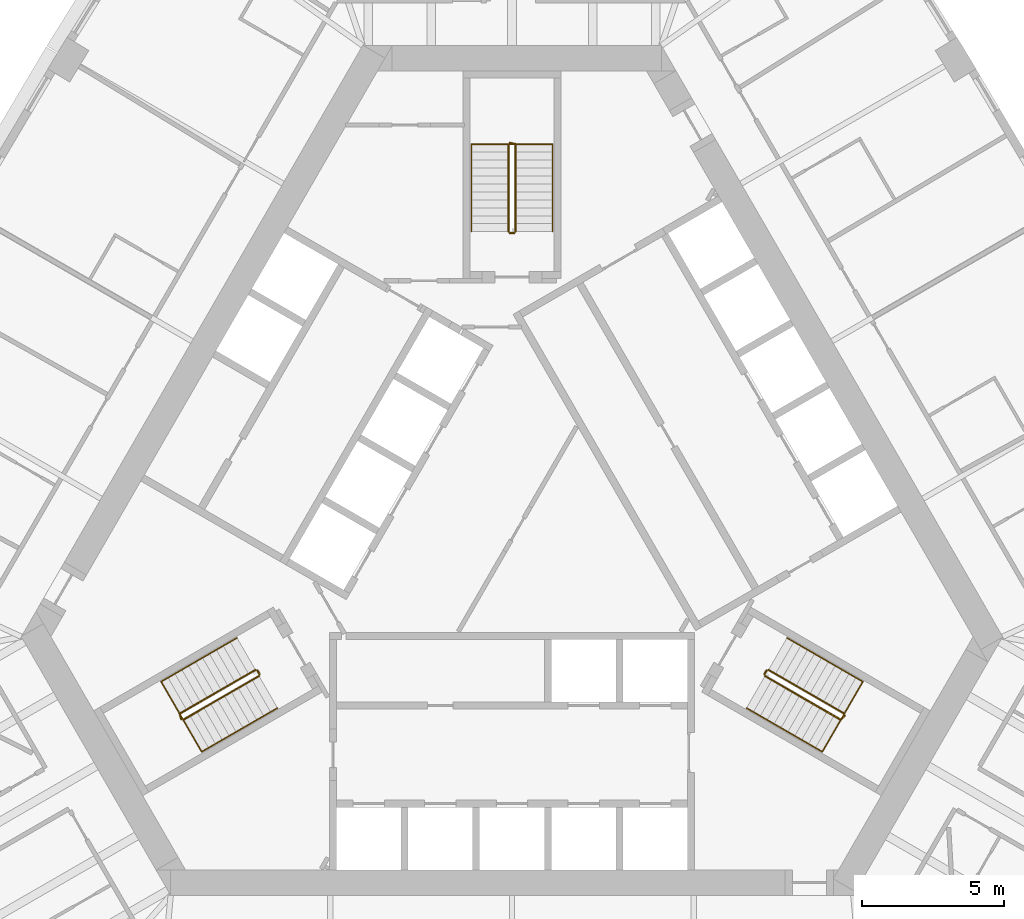
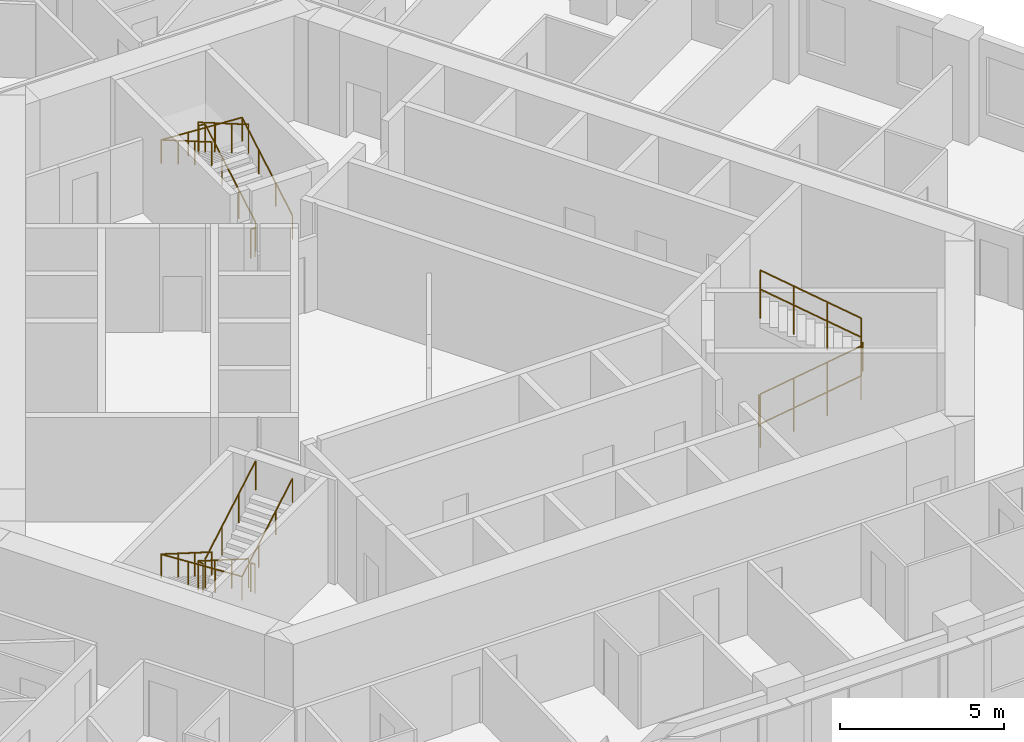
# One storey, part 13 of 13: 12 railings.
"""IFC4 building model written with IfcOpenShell, lengths in metres."""

from ifc_helpers import new_model, si_unit, direction, frame, origin, origin_2d, place, context, subcontext, project, spatial, circle, extrude, material, type_object, element, save


model = new_model("IFC4")

# Units and contexts
model_context = context("Model", 3, precision=1e-05, world=origin(), true_north=direction((0.0, 1.0)))
body_context = subcontext(model_context, "Body", "Model", "MODEL_VIEW")
ifc_project = project(units=[si_unit("LENGTHUNIT", "METRE"), si_unit("AREAUNIT", "SQUARE_METRE"), si_unit("VOLUMEUNIT", "CUBIC_METRE"), si_unit("PLANEANGLEUNIT", "RADIAN"), si_unit("MASSUNIT", "GRAM", prefix="KILO")], contexts=[model_context])

# Site, building, storey
site_placement = place(None, origin())
site = spatial("IfcSite", under=ifc_project, at=site_placement, CompositionType="ELEMENT")
building_placement = place(site_placement, origin())
building = spatial("IfcBuilding", under=site, at=building_placement, Name="Mestral Congress Tower", CompositionType="ELEMENT")
storey_placement = place(building_placement, frame((0.0, 0.0, 83.699951171875)))
storey = spatial("IfcBuildingStorey", under=building, at=storey_placement, Name="L19", CompositionType="ELEMENT", Elevation=83.699951171875)

# Railings
ifc_material_1 = material(Name="Steel balustrade", Category="steel")
railing_type_1 = type_object("IfcRailingType", Name="Stair guard 1100", PredefinedType="GUARDRAIL", material=ifc_material_1)
railing_1_placement = place(storey_placement, frame((8.90087890625, -5.283203125, 0.16259765625)))
element("IfcRailing", 1, at=railing_1_placement, inside=storey, type_object=railing_type_1, Name="L19 ST1 stair guard 1", PredefinedType="GUARDRAIL", context=body_context, shape_type="SweptSolid", body=[
    extrude(circle(Radius=0.02392578125, at=origin_2d()), frame((0.0, 0.0, 1.076171875), z_axis=(0.749019742845, -0.432477486304, 0.501928927906), x_axis=(0.500026652407, 0.866010015463, 0.0)), (0.0, 0.0, 1.0), 3.56103515625),
    extrude(circle(Radius=0.02392578125, at=origin_2d()), frame((2.667236328125, -1.5400390625, 2.86328125), z_axis=(0.695164929852, 0.718850276695, 0.0), x_axis=(-0.718850276695, 0.695164929852, 0.0)), (0.0, 0.0, 1.0), 0.2060546875),
    extrude(circle(Radius=0.02099609375, at=origin_2d()), origin(), (0.0, 0.0, 1.0), 1.052001953125),
    extrude(circle(Radius=0.02099609375, at=origin_2d()), frame((0.88916015625, -0.513427734375, 0.595703125)), (0.0, 0.0, 1.0), 1.052001953125),
    extrude(circle(Radius=0.02099609375, at=origin_2d()), frame((1.778076171875, -1.026611328125, 1.191650390625)), (0.0, 0.0, 1.0), 1.052001953125),
    extrude(circle(Radius=0.02099609375, at=origin_2d()), frame((2.667236328125, -1.5400390625, 1.787353515625)), (0.0, 0.0, 1.0), 1.052001953125),
    extrude(circle(Radius=0.02099609375, at=origin_2d()), frame((2.810546875, -1.391845703125, 1.787353515625)), (0.0, 0.0, 1.0), 1.052001953125),
])
railing_2_placement = place(storey_placement, frame((11.693115234375, -6.606689453125, 2.112548828125)))
element("IfcRailing", 2, at=railing_2_placement, inside=storey, type_object=railing_type_1, Name="L19 ST1 stair guard 2", PredefinedType="GUARDRAIL", context=body_context, shape_type="SweptSolid", body=[
    extrude(circle(Radius=0.02392578125, at=origin_2d()), frame((0.0, 0.0, 1.076171875), z_axis=(-0.748993966903, 0.432462603499, 0.501980212875), x_axis=(-0.500026652407, -0.866010015463, 0.0)), (0.0, 0.0, 1.0), 3.56103515625),
    extrude(circle(Radius=0.02099609375, at=origin_2d()), origin(), (0.0, 0.0, 1.0), 1.052001953125),
    extrude(circle(Radius=0.02099609375, at=origin_2d()), frame((-0.88916015625, 0.513427734375, 0.595947265625)), (0.0, 0.0, 1.0), 1.052001953125),
    extrude(circle(Radius=0.02099609375, at=origin_2d()), frame((-1.778076171875, 1.026611328125, 1.191650390625)), (0.0, 0.0, 1.0), 1.052001953125),
    extrude(circle(Radius=0.02099609375, at=origin_2d()), frame((-2.667236328125, 1.5400390625, 1.78759765625)), (0.0, 0.0, 1.0), 1.052001953125),
])
railing_3_placement = place(storey_placement, frame((8.882568359375, -5.21484375, 0.0)))
element("IfcRailing", 3, at=railing_3_placement, inside=storey, type_object=railing_type_1, Name="L19 ST1 stair guard 3", PredefinedType="GUARDRAIL", context=body_context, shape_type="SweptSolid", body=[
    extrude(circle(Radius=0.02392578125, at=origin_2d()), frame((0.0, 0.0, 1.076171875), z_axis=(0.499816412211, 0.866131372301, 0.0), x_axis=(-0.866131372301, 0.499816412211, 0.0)), (0.0, 0.0, 1.0), 0.14990234375),
    extrude(circle(Radius=0.02099609375, at=origin_2d()), origin(), (0.0, 0.0, 1.0), 1.052001953125),
    extrude(circle(Radius=0.02099609375, at=origin_2d()), frame((0.074951171875, 0.1298828125, 0.0)), (0.0, 0.0, 1.0), 1.052001953125),
])
railing_4_placement = place(storey_placement, frame((0.125, 10.35009765625, 0.16259765625)))
element("IfcRailing", 4, at=railing_4_placement, inside=storey, type_object=railing_type_1, Name="L19 ST2 stair guard 1", PredefinedType="GUARDRAIL", context=body_context, shape_type="SweptSolid", body=[
    extrude(circle(Radius=0.02392578125, at=origin_2d()), frame((0.0, 0.0, 1.076171875), z_axis=(0.0, 0.864903211148, 0.501938676878), x_axis=(-1.0, 0.0, 0.0)), (0.0, 0.0, 1.0), 3.560791015625),
    extrude(circle(Radius=0.02392578125, at=origin_2d()), frame((0.0, 3.079833984375, 2.86328125), z_axis=(-0.970072785993, 0.242814311512, 0.0), x_axis=(-0.242814311512, -0.970072785993, 0.0)), (0.0, 0.0, 1.0), 0.2060546875),
    extrude(circle(Radius=0.02099609375, at=origin_2d()), origin(), (0.0, 0.0, 1.0), 1.052001953125),
    extrude(circle(Radius=0.02099609375, at=origin_2d()), frame((0.0, 1.026611328125, 0.595703125)), (0.0, 0.0, 1.0), 1.052001953125),
    extrude(circle(Radius=0.02099609375, at=origin_2d()), frame((0.0, 2.05322265625, 1.191650390625)), (0.0, 0.0, 1.0), 1.052001953125),
    extrude(circle(Radius=0.02099609375, at=origin_2d()), frame((0.0, 3.079833984375, 1.787353515625)), (0.0, 0.0, 1.0), 1.052001953125),
    extrude(circle(Radius=0.02099609375, at=origin_2d()), frame((-0.199951171875, 3.1298828125, 1.787353515625)), (0.0, 0.0, 1.0), 1.052001953125),
])
railing_5_placement = place(storey_placement, frame((-0.125, 13.429931640625, 2.112548828125)))
element("IfcRailing", 5, at=railing_5_placement, inside=storey, type_object=railing_type_1, Name="L19 ST2 stair guard 2", PredefinedType="GUARDRAIL", context=body_context, shape_type="SweptSolid", body=[
    extrude(circle(Radius=0.02392578125, at=origin_2d()), frame((0.0, 0.0, 1.076171875), z_axis=(0.0, -0.864873446163, 0.501989962173), x_axis=(1.0, 0.0, 0.0)), (0.0, 0.0, 1.0), 3.56103515625),
    extrude(circle(Radius=0.02099609375, at=origin_2d()), origin(), (0.0, 0.0, 1.0), 1.052001953125),
    extrude(circle(Radius=0.02099609375, at=origin_2d()), frame((0.0, -1.026611328125, 0.595947265625)), (0.0, 0.0, 1.0), 1.052001953125),
    extrude(circle(Radius=0.02099609375, at=origin_2d()), frame((0.0, -2.05322265625, 1.191650390625)), (0.0, 0.0, 1.0), 1.052001953125),
    extrude(circle(Radius=0.02099609375, at=origin_2d()), frame((0.0, -3.079833984375, 1.78759765625)), (0.0, 0.0, 1.0), 1.052001953125),
])
railing_6_placement = place(storey_placement, frame((0.074951171875, 10.300048828125, 0.0)))
element("IfcRailing", 6, at=railing_6_placement, inside=storey, type_object=railing_type_1, Name="L19 ST2 stair guard 3", PredefinedType="GUARDRAIL", context=body_context, shape_type="SweptSolid", body=[
    extrude(circle(Radius=0.02392578125, at=origin_2d()), frame((0.0, 0.0, 1.076171875), z_axis=(-1.0, 0.0, 0.0), x_axis=(0.0, -1.0, 0.0)), (0.0, 0.0, 1.0), 0.14990234375),
    extrude(circle(Radius=0.02099609375, at=origin_2d()), origin(), (0.0, 0.0, 1.0), 1.052001953125),
    extrude(circle(Radius=0.02099609375, at=origin_2d()), frame((-0.14990234375, 0.0, 0.0)), (0.0, 0.0, 1.0), 1.052001953125),
])
railing_7_placement = place(storey_placement, frame((-9.02587890625, -5.066650390625, 0.16259765625)))
element("IfcRailing", 7, at=railing_7_placement, inside=storey, type_object=railing_type_1, Name="L19 ST3 stair guard 1", PredefinedType="GUARDRAIL", context=body_context, shape_type="SweptSolid", body=[
    extrude(circle(Radius=0.02392578125, at=origin_2d()), frame((0.0, 0.0, 1.076171875), z_axis=(-0.749019742845, -0.432477486304, 0.501928927906), x_axis=(0.500026652407, -0.866010015463, 0.0)), (0.0, 0.0, 1.0), 3.56103515625),
    extrude(circle(Radius=0.02392578125, at=origin_2d()), frame((-2.667236328125, -1.5400390625, 2.86328125), z_axis=(0.274721127897, -0.961523947641, 0.0), x_axis=(0.961523947641, 0.274721127897, 0.0)), (0.0, 0.0, 1.0), 0.2060546875),
    extrude(circle(Radius=0.02099609375, at=origin_2d()), origin(), (0.0, 0.0, 1.0), 1.052001953125),
    extrude(circle(Radius=0.02099609375, at=origin_2d()), frame((-0.88916015625, -0.513427734375, 0.595703125)), (0.0, 0.0, 1.0), 1.052001953125),
    extrude(circle(Radius=0.02099609375, at=origin_2d()), frame((-1.778076171875, -1.026611328125, 1.191650390625)), (0.0, 0.0, 1.0), 1.052001953125),
    extrude(circle(Radius=0.02099609375, at=origin_2d()), frame((-2.667236328125, -1.5400390625, 1.787353515625)), (0.0, 0.0, 1.0), 1.052001953125),
    extrude(circle(Radius=0.02099609375, at=origin_2d()), frame((-2.610595703125, -1.73828125, 1.787353515625)), (0.0, 0.0, 1.0), 1.052001953125),
])
railing_8_placement = place(storey_placement, frame((-11.568115234375, -6.8232421875, 2.112548828125)))
element("IfcRailing", 8, at=railing_8_placement, inside=storey, type_object=railing_type_1, Name="L19 ST3 stair guard 2", PredefinedType="GUARDRAIL", context=body_context, shape_type="SweptSolid", body=[
    extrude(circle(Radius=0.02392578125, at=origin_2d()), frame((0.0, 0.0, 1.076171875), z_axis=(0.748993966903, 0.432462603499, 0.501980212875), x_axis=(-0.500026652407, 0.866010015463, 0.0)), (0.0, 0.0, 1.0), 3.56103515625),
    extrude(circle(Radius=0.02099609375, at=origin_2d()), origin(), (0.0, 0.0, 1.0), 1.052001953125),
    extrude(circle(Radius=0.02099609375, at=origin_2d()), frame((0.88916015625, 0.513427734375, 0.595947265625)), (0.0, 0.0, 1.0), 1.052001953125),
    extrude(circle(Radius=0.02099609375, at=origin_2d()), frame((1.778076171875, 1.026611328125, 1.191650390625)), (0.0, 0.0, 1.0), 1.052001953125),
    extrude(circle(Radius=0.02099609375, at=origin_2d()), frame((2.667236328125, 1.5400390625, 1.78759765625)), (0.0, 0.0, 1.0), 1.052001953125),
])
railing_9_placement = place(storey_placement, frame((-8.95751953125, -5.0849609375, 0.0)))
element("IfcRailing", 9, at=railing_9_placement, inside=storey, type_object=railing_type_1, Name="L19 ST3 stair guard 3", PredefinedType="GUARDRAIL", context=body_context, shape_type="SweptSolid", body=[
    extrude(circle(Radius=0.02392578125, at=origin_2d()), frame((0.0, 0.0, 1.076171875), z_axis=(0.499816412211, -0.866131372301, 0.0), x_axis=(0.866131372301, 0.499816412211, 0.0)), (0.0, 0.0, 1.0), 0.14990234375),
    extrude(circle(Radius=0.02099609375, at=origin_2d()), origin(), (0.0, 0.0, 1.0), 1.052001953125),
    extrude(circle(Radius=0.02099609375, at=origin_2d()), frame((0.074951171875, -0.1298828125, 0.0)), (0.0, 0.0, 1.0), 1.052001953125),
])
ifc_material_2 = material(Name="Steel handrail", Category="steel")
railing_type_2 = type_object("IfcRailingType", Name="Stair handrail 900", PredefinedType="HANDRAIL", material=ifc_material_2)
railing_10_placement = place(storey_placement, frame((8.2509765625, -6.4091796875, 0.16259765625)))
element("IfcRailing", 10, at=railing_10_placement, inside=storey, type_object=railing_type_2, Name="L19 ST1 stair handrail 1", PredefinedType="HANDRAIL", context=body_context, shape_type="SweptSolid", body=[
    extrude(circle(Radius=0.02392578125, at=origin_2d()), frame((0.0, 0.0, 0.8759765625), z_axis=(0.749041951051, -0.432421746936, 0.501943809945), x_axis=(0.499967199496, 0.866044340336, 0.0)), (0.0, 0.0, 1.0), 3.560791015625),
    extrude(circle(Radius=0.02392578125, at=origin_2d()), frame((2.667236328125, -1.539794921875, 2.6630859375), z_axis=(0.499224505807, 0.864598343191, 0.056961370716), x_axis=(-0.866004402611, 0.500036373335, 0.0)), (0.0, 0.0, 1.0), 2.8544921875),
    extrude(circle(Radius=0.02392578125, at=origin_2d()), frame((4.09228515625, 0.92822265625, 2.82568359375), z_axis=(-0.74902406201, 0.432440397507, 0.501954437309), x_axis=(-0.499992328818, -0.866029832698, 0.0)), (0.0, 0.0, 1.0), 3.561279296875),
    extrude(circle(Radius=0.02099609375, at=origin_2d()), origin(), (0.0, 0.0, 1.0), 0.851806640625),
    extrude(circle(Radius=0.02099609375, at=origin_2d()), frame((0.88916015625, -0.51318359375, 0.595703125)), (0.0, 0.0, 1.0), 0.851806640625),
    extrude(circle(Radius=0.02099609375, at=origin_2d()), frame((1.778076171875, -1.026611328125, 1.191650390625)), (0.0, 0.0, 1.0), 0.851806640625),
    extrude(circle(Radius=0.02099609375, at=origin_2d()), frame((2.667236328125, -1.539794921875, 1.787353515625)), (0.0, 0.0, 1.0), 0.851806640625),
    extrude(circle(Radius=0.02099609375, at=origin_2d()), frame((3.142333984375, -0.717041015625, 1.841552734375)), (0.0, 0.0, 1.0), 0.851806640625),
    extrude(circle(Radius=0.02099609375, at=origin_2d()), frame((3.6171875, 0.10546875, 1.895751953125)), (0.0, 0.0, 1.0), 0.851806640625),
    extrude(circle(Radius=0.02099609375, at=origin_2d()), frame((4.09228515625, 0.92822265625, 1.949951171875)), (0.0, 0.0, 1.0), 0.851806640625),
    extrude(circle(Radius=0.02099609375, at=origin_2d()), frame((3.203125, 1.441650390625, 2.5458984375)), (0.0, 0.0, 1.0), 0.851806640625),
    extrude(circle(Radius=0.02099609375, at=origin_2d()), frame((2.31396484375, 1.954833984375, 3.1416015625)), (0.0, 0.0, 1.0), 0.851806640625),
    extrude(circle(Radius=0.02099609375, at=origin_2d()), frame((1.4248046875, 2.46826171875, 3.737548828125)), (0.0, 0.0, 1.0), 0.851806640625),
])
railing_11_placement = place(storey_placement, frame((1.425048828125, 10.35009765625, 0.16259765625)))
element("IfcRailing", 11, at=railing_11_placement, inside=storey, type_object=railing_type_2, Name="L19 ST2 stair handrail 1", PredefinedType="HANDRAIL", context=body_context, shape_type="SweptSolid", body=[
    extrude(circle(Radius=0.02392578125, at=origin_2d()), frame((0.0, 0.0, 0.8759765625), z_axis=(0.0, 0.864903211148, 0.501938676878), x_axis=(-1.0, 0.0, 0.0)), (0.0, 0.0, 1.0), 3.560791015625),
    extrude(circle(Radius=0.02392578125, at=origin_2d()), frame((0.0, 3.079833984375, 2.6630859375), z_axis=(-0.998376618682, 0.0, 0.056957240709), x_axis=(0.0, -1.0, 0.0)), (0.0, 0.0, 1.0), 2.854736328125),
    extrude(circle(Radius=0.02392578125, at=origin_2d()), frame((-2.85009765625, 3.079833984375, 2.82568359375), z_axis=(0.0, -0.864873446163, 0.501989962173), x_axis=(1.0, 0.0, 0.0)), (0.0, 0.0, 1.0), 3.56103515625),
    extrude(circle(Radius=0.02099609375, at=origin_2d()), origin(), (0.0, 0.0, 1.0), 0.851806640625),
    extrude(circle(Radius=0.02099609375, at=origin_2d()), frame((0.0, 1.026611328125, 0.595703125)), (0.0, 0.0, 1.0), 0.851806640625),
    extrude(circle(Radius=0.02099609375, at=origin_2d()), frame((0.0, 2.05322265625, 1.191650390625)), (0.0, 0.0, 1.0), 0.851806640625),
    extrude(circle(Radius=0.02099609375, at=origin_2d()), frame((0.0, 3.079833984375, 1.787353515625)), (0.0, 0.0, 1.0), 0.851806640625),
    extrude(circle(Radius=0.02099609375, at=origin_2d()), frame((-0.949951171875, 3.079833984375, 1.841552734375)), (0.0, 0.0, 1.0), 0.851806640625),
    extrude(circle(Radius=0.02099609375, at=origin_2d()), frame((-1.900146484375, 3.079833984375, 1.895751953125)), (0.0, 0.0, 1.0), 0.851806640625),
    extrude(circle(Radius=0.02099609375, at=origin_2d()), frame((-2.85009765625, 3.079833984375, 1.949951171875)), (0.0, 0.0, 1.0), 0.851806640625),
    extrude(circle(Radius=0.02099609375, at=origin_2d()), frame((-2.85009765625, 2.05322265625, 2.5458984375)), (0.0, 0.0, 1.0), 0.851806640625),
    extrude(circle(Radius=0.02099609375, at=origin_2d()), frame((-2.85009765625, 1.026611328125, 3.1416015625)), (0.0, 0.0, 1.0), 0.851806640625),
    extrude(circle(Radius=0.02099609375, at=origin_2d()), frame((-2.85009765625, 0.0, 3.737548828125)), (0.0, 0.0, 1.0), 0.851806640625),
])
railing_12_placement = place(storey_placement, frame((-9.67578125, -3.94091796875, 0.16259765625)))
element("IfcRailing", 12, at=railing_12_placement, inside=storey, type_object=railing_type_2, Name="L19 ST3 stair handrail 1", PredefinedType="HANDRAIL", context=body_context, shape_type="SweptSolid", body=[
    extrude(circle(Radius=0.02392578125, at=origin_2d()), frame((0.0, 0.0, 0.8759765625), z_axis=(-0.749049836341, -0.432455278019, 0.501903153199), x_axis=(0.499992328818, -0.866029832698, 0.0)), (0.0, 0.0, 1.0), 3.56103515625),
    extrude(circle(Radius=0.02392578125, at=origin_2d()), frame((-2.66748046875, -1.5400390625, 2.6630859375), z_axis=(0.499224505807, -0.864598343191, 0.056961370716), x_axis=(0.866004402611, 0.500036373335, 0.0)), (0.0, 0.0, 1.0), 2.8544921875),
    extrude(circle(Radius=0.02392578125, at=origin_2d()), frame((-1.242431640625, -4.008056640625, 2.82568359375), z_axis=(0.749016172816, 0.432406865167, 0.50199509541), x_axis=(-0.499967199496, 0.866044340336, 0.0)), (0.0, 0.0, 1.0), 3.56103515625),
    extrude(circle(Radius=0.02099609375, at=origin_2d()), origin(), (0.0, 0.0, 1.0), 0.851806640625),
    extrude(circle(Radius=0.02099609375, at=origin_2d()), frame((-0.88916015625, -0.513427734375, 0.595703125)), (0.0, 0.0, 1.0), 0.851806640625),
    extrude(circle(Radius=0.02099609375, at=origin_2d()), frame((-1.7783203125, -1.026611328125, 1.191650390625)), (0.0, 0.0, 1.0), 0.851806640625),
    extrude(circle(Radius=0.02099609375, at=origin_2d()), frame((-2.66748046875, -1.5400390625, 1.787353515625)), (0.0, 0.0, 1.0), 0.851806640625),
    extrude(circle(Radius=0.02099609375, at=origin_2d()), frame((-2.1923828125, -2.36279296875, 1.841552734375)), (0.0, 0.0, 1.0), 0.851806640625),
    extrude(circle(Radius=0.02099609375, at=origin_2d()), frame((-1.717529296875, -3.185302734375, 1.895751953125)), (0.0, 0.0, 1.0), 0.851806640625),
    extrude(circle(Radius=0.02099609375, at=origin_2d()), frame((-1.242431640625, -4.008056640625, 1.949951171875)), (0.0, 0.0, 1.0), 0.851806640625),
    extrude(circle(Radius=0.02099609375, at=origin_2d()), frame((-0.353271484375, -3.494873046875, 2.5458984375)), (0.0, 0.0, 1.0), 0.851806640625),
    extrude(circle(Radius=0.02099609375, at=origin_2d()), frame((0.53564453125, -2.9814453125, 3.1416015625)), (0.0, 0.0, 1.0), 0.851806640625),
    extrude(circle(Radius=0.02099609375, at=origin_2d()), frame((1.4248046875, -2.46826171875, 3.737548828125)), (0.0, 0.0, 1.0), 0.851806640625),
])

save(model, "model.ifc")
